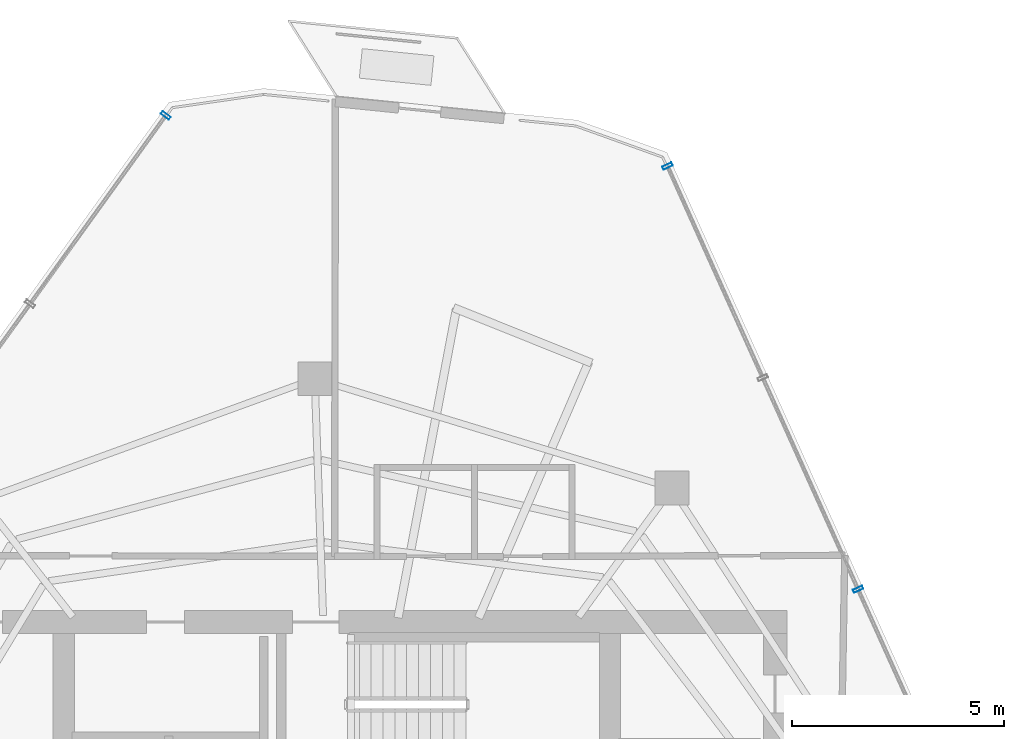
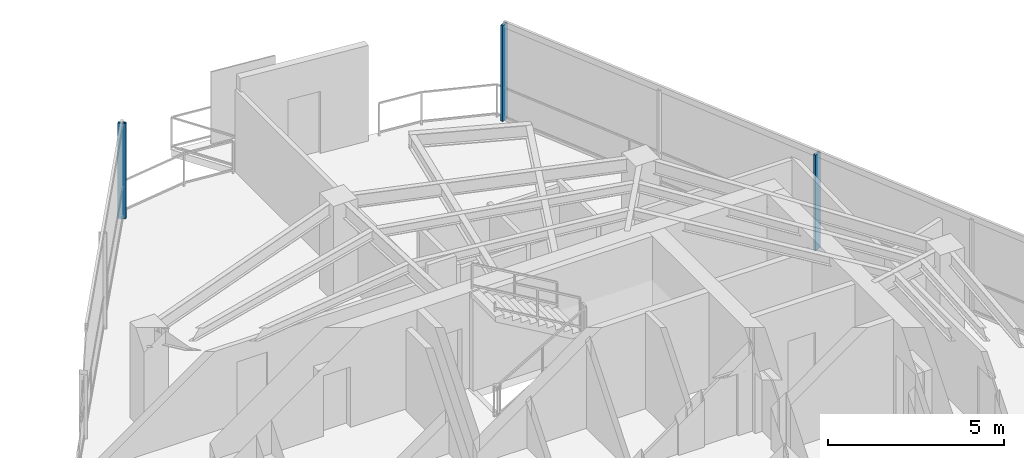
# One storey, part 13 of 18: 3 members, 2 elements without a shape of their own.
"""IFC4 building model written with IfcOpenShell, lengths in metres."""

import ifcopenshell
import ifcopenshell.guid

model = None  # the IFC model being written
_history = None  # IfcOwnerHistory: only IFC2X3 demands one
_inside = {}  # id of a spatial element -> (the spatial element, [elements in it])
_under = {}  # id of a project, library or spatial element -> (it, [spatial elements below it])
_declared = {}  # id of a project -> (the project, [libraries it declares])
_typed = {}  # id of a type object -> (the type object, [elements of that type])
_made_of = {}  # id of a material, layer set ... -> (it, [elements and type objects made of it])


def new_model(schema):
    """Start an empty IFC model of exactly this schema.

    Asked for "IFC4X3", IfcOpenShell would pick the latest addendum, in which some entities
    have other attributes; the version numbers below select the first issue.
    IFC2X3 requires an IfcOwnerHistory on every rooted entity: one is made here for all.
    """
    global model, _history
    if schema == "IFC4X3":
        model = ifcopenshell.file(schema_version=(4, 3, 0, 0))
    else:
        model = ifcopenshell.file(schema=schema)
    _inside.clear()
    _under.clear()
    _declared.clear()
    _typed.clear()
    _made_of.clear()
    _history = None
    if model.schema == "IFC2X3":
        org = make("IfcOrganization", Name="unknown")
        user = make(
            "IfcPersonAndOrganization",
            ThePerson=make("IfcPerson", FamilyName="unknown"),
            TheOrganization=org,
        )
        app = make(
            "IfcApplication",
            ApplicationDeveloper=org,
            Version="unknown",
            ApplicationFullName="unknown",
            ApplicationIdentifier="unknown",
        )
        _history = make(
            "IfcOwnerHistory",
            OwningUser=user,
            OwningApplication=app,
            ChangeAction="ADDED",
            CreationDate=0,
        )
    return model


def make(cls, **values):
    """One entity of the class cls with the attributes given. An attribute that is None is left unset."""
    return model.create_entity(
        cls, **{name: value for name, value in values.items() if value is not None}
    )


def rooted(cls, **values):
    """An entity with a GlobalId (a new one), such as an element, a storey or a relation."""
    return make(cls, GlobalId=ifcopenshell.guid.new(), OwnerHistory=_history, **values)


def si_unit(unit_type, name, prefix=None):
    """IfcSIUnit, for example si_unit("LENGTHUNIT", "METRE", prefix="MILLI")."""
    return make("IfcSIUnit", UnitType=unit_type, Prefix=prefix, Name=name)


def assignment(units):
    """IfcUnitAssignment: the units of a project."""
    return None if units is None else make("IfcUnitAssignment", Units=units)


def point(xyz):
    """IfcCartesianPoint."""
    return None if xyz is None else make("IfcCartesianPoint", Coordinates=xyz)


def direction(xyz):
    """IfcDirection."""
    return None if xyz is None else make("IfcDirection", DirectionRatios=xyz)


def frame(location, z_axis=None, x_axis=None):
    """IfcAxis2Placement3D, a coordinate frame: its origin and axes. An axis left out is left unset."""
    return make(
        "IfcAxis2Placement3D",
        Location=point(location),
        Axis=direction(z_axis),
        RefDirection=direction(x_axis),
    )


def frame_2d(location, x_axis=None):
    """IfcAxis2Placement2D, a coordinate frame in the plane: its origin and x axis."""
    return make(
        "IfcAxis2Placement2D", Location=point(location), RefDirection=direction(x_axis)
    )


def origin():
    """The frame at (0, 0, 0) with its axes left unset."""
    return frame((0.0, 0.0, 0.0))


def origin_2d():
    """The frame at (0, 0) in the plane with its x axis left unset."""
    return frame_2d((0.0, 0.0))


def place(relative_to, where):
    """IfcLocalPlacement: puts the frame where relative to a parent placement (None: the world)."""
    return make(
        "IfcLocalPlacement", PlacementRelTo=relative_to, RelativePlacement=where
    )


def context(
    kind, dimensions, precision=None, world=None, true_north=None, identifier=None
):
    """IfcGeometricRepresentationContext, for example the 3D "Model" context."""
    return make(
        "IfcGeometricRepresentationContext",
        ContextIdentifier=identifier,
        ContextType=kind,
        CoordinateSpaceDimension=dimensions,
        Precision=precision,
        WorldCoordinateSystem=world,
        TrueNorth=true_north,
    )


def subcontext(parent, identifier, kind, view, scale=None):
    """IfcGeometricRepresentationSubContext, for example "Body" below "Model"."""
    return make(
        "IfcGeometricRepresentationSubContext",
        ContextIdentifier=identifier,
        ContextType=kind,
        ParentContext=parent,
        TargetScale=scale,
        TargetView=view,
    )


def project(units=None, contexts=None):
    """IfcProject with its units and contexts."""
    return rooted(
        "IfcProject",
        Name="project",
        RepresentationContexts=contexts,
        UnitsInContext=assignment(units),
    )


def spatial(cls, under=None, at=None, **own):
    """A site, building, storey or space (cls), placed at a placement, below another one or the project."""
    s = rooted(cls, ObjectPlacement=at, **own)
    if under is not None:
        _under.setdefault(under.id(), (under, []))[1].append(s)
    return s


def profile(cls, at=None, kind="AREA", **sizes):
    """A parametric profile (cls). Its sizes go by their IFC names, for example OverallWidth=200.0."""
    return make(cls, ProfileType=kind, Position=at, **sizes)


def hollow_rectangle(**sizes):
    """IfcRectangleHollowProfileDef."""
    return profile("IfcRectangleHollowProfileDef", **sizes)


def extrude(swept, where, along, depth):
    """IfcExtrudedAreaSolid: the profile swept, set in the frame where, extruded along a direction by depth."""
    return make(
        "IfcExtrudedAreaSolid",
        SweptArea=swept,
        Position=where,
        ExtrudedDirection=direction(along),
        Depth=depth,
    )


def shape(context_of_items, identifier, shape_type, items):
    """IfcShapeRepresentation: the items that make up one representation, for example the "Body"."""
    return make(
        "IfcShapeRepresentation",
        ContextOfItems=context_of_items,
        RepresentationIdentifier=identifier,
        RepresentationType=shape_type,
        Items=items,
    )


def material(Name=None, Category=None):
    """IfcMaterial."""
    return make("IfcMaterial", Name=Name, Category=Category)


def layer(
    of_material, thickness, ventilated=None, Name=None, Category=None, Priority=None
):
    """IfcMaterialLayer: one layer of a wall or slab, of a material (None: an air gap)."""
    return make(
        "IfcMaterialLayer",
        Material=of_material,
        LayerThickness=thickness,
        IsVentilated=ventilated,
        Name=Name,
        Category=Category,
        Priority=Priority,
    )


def layer_set(layers, Name=None):
    """IfcMaterialLayerSet."""
    return make("IfcMaterialLayerSet", MaterialLayers=layers, LayerSetName=Name)


def material_profile(
    of_material, cross_section, Name=None, Category=None, Priority=None
):
    """IfcMaterialProfile: a cross section and its material."""
    return make(
        "IfcMaterialProfile",
        Name=Name,
        Material=of_material,
        Profile=cross_section,
        Priority=Priority,
        Category=Category,
    )


def profile_set(profiles, Name=None, composite=None):
    """IfcMaterialProfileSet."""
    return make(
        "IfcMaterialProfileSet",
        Name=Name,
        MaterialProfiles=profiles,
        CompositeProfile=composite,
    )


def made_of(thing, what):
    """Note that an element or type object is made of a material, layer set ...; save() writes the relation."""
    if what is not None:
        _made_of.setdefault(what.id(), (what, []))[1].append(thing)
    return thing


def type_object(cls, material=None, **own):
    """A type object (cls), such as IfcWallType, which elements share."""
    return made_of(rooted(cls, **own), material)


def element(
    cls,
    number,
    at=None,
    inside=None,
    cuts=None,
    type_object=None,
    material=None,
    context=None,
    identifier="Body",
    shape_type=None,
    held_by="IfcProductDefinitionShape",
    body=None,
    shapes=None,
    **own,
):
    """One element of the class cls, such as IfcWall. Its Tag is "e" and its number.

    at: its placement. inside: the storey or other place that contains it. cuts: it is an
    opening in that element (IfcRelVoidsElement). A single representation is given by context,
    identifier, shape_type and body (its items); several are given by shapes. held_by: the class
    of the entity that holds the representations. save() writes the other relations.
    """
    e = rooted(cls, Tag="e%d" % number, ObjectPlacement=at, **own)
    if body is not None:
        shapes = [shape(context, identifier, shape_type, body)]
    if shapes is not None:
        e.Representation = make(held_by, Representations=shapes)
    if inside is not None:
        _inside.setdefault(inside.id(), (inside, []))[1].append(e)
    if cuts is not None:
        rooted(
            "IfcRelVoidsElement", RelatingBuildingElement=cuts, RelatedOpeningElement=e
        )
    if type_object is not None:
        _typed.setdefault(type_object.id(), (type_object, []))[1].append(e)
    return made_of(e, material)


def aggregate(whole, parts):
    """IfcRelAggregates: a whole, such as a stair, and the parts it consists of."""
    return rooted("IfcRelAggregates", RelatingObject=whole, RelatedObjects=parts)


def save(model, path):
    """Write the relations noted so far, then the file.

    IfcRelAggregates (storeys below a building ...), IfcRelContainedInSpatialStructure (elements
    in a storey), IfcRelDefinesByType, IfcRelAssociatesMaterial and IfcRelDeclares: one each for
    every whole, place, type object, material and project.
    """
    for whole, parts in _under.values():
        aggregate(whole, parts)
    for where, things in _inside.values():
        rooted(
            "IfcRelContainedInSpatialStructure",
            RelatedElements=things,
            RelatingStructure=where,
        )
    for kind, things in _typed.values():
        rooted("IfcRelDefinesByType", RelatedObjects=things, RelatingType=kind)
    for what, things in _made_of.values():
        rooted("IfcRelAssociatesMaterial", RelatedObjects=things, RelatingMaterial=what)
    for by, libraries in _declared.values():
        rooted("IfcRelDeclares", RelatingContext=by, RelatedDefinitions=libraries)
    model.write(path)


model = new_model("IFC4")

# Units and contexts
model_context = context("Model", 3, precision=1e-05, world=origin(), true_north=direction((0.0, 1.0)))
body_context = subcontext(model_context, "Body", "Model", "MODEL_VIEW")
ifc_project = project(units=[si_unit("LENGTHUNIT", "METRE"), si_unit("AREAUNIT", "SQUARE_METRE"), si_unit("VOLUMEUNIT", "CUBIC_METRE"), si_unit("PLANEANGLEUNIT", "RADIAN"), si_unit("MASSUNIT", "GRAM", prefix="KILO")], contexts=[model_context])

# Site, building, storey
site_placement = place(None, origin())
site = spatial("IfcSite", under=ifc_project, at=site_placement, CompositionType="ELEMENT")
building_placement = place(site_placement, origin())
building = spatial("IfcBuilding", under=site, at=building_placement, Name="Qarnah Convention Tower", CompositionType="ELEMENT")
storey_placement = place(building_placement, frame((0.0, 0.0, 271.5)))
storey = spatial("IfcBuildingStorey", under=building, at=storey_placement, Name="L73", CompositionType="ELEMENT", Elevation=271.5)

# Curtain wall, member
ifc_material_1 = material(Name="Tempered Low-E dark glass", Category="glass")
ifc_layer = layer(ifc_material_1, 0.176025390625)
ifc_layer_set = layer_set([ifc_layer], Name="Tempered Low-E dark glass")
curtain_wall_type = type_object("IfcCurtainWallType", Name="CWS-05", PredefinedType="NOTDEFINED", material=ifc_layer_set)
curtain_wall_1_placement = place(storey_placement, origin())
curtain_wall_1 = element("IfcCurtainWall", 1, at=curtain_wall_1_placement, inside=storey, type_object=curtain_wall_type, Name="L73 unitised curtain wall CW-L73-F1", PredefinedType="NOTDEFINED")
ifc_material_2 = material(Name="Black anodised aluminium", Category="aluminium")
ifc_material_profile = material_profile(ifc_material_2, hollow_rectangle(XDim=0.080078125, YDim=0.239990234375, WallThickness=0.0048828125, at=origin_2d()), Name="MUL-80X240")
ifc_profile_set = profile_set([ifc_material_profile], Name="Black anodised aluminium")
member_type = type_object("IfcMemberType", Name="MUL-T5", PredefinedType="MULLION", material=ifc_profile_set)
member_1_placement = place(storey_placement, frame((33.20703125, 46.160888671875, 0.0), z_axis=(0.0, 0.0, 1.0), x_axis=(0.584392195379, 0.811471356229, 0.0)))
member_1 = element("IfcMember", 2, at=member_1_placement, type_object=member_type, Name="CW-L73-F1 mullion 6", PredefinedType="MULLION", context=body_context, shape_type="SweptSolid", body=[
    extrude(hollow_rectangle(XDim=0.080078125, YDim=0.239990234375, WallThickness=0.0048828125, at=origin_2d()), origin(), (0.0, 0.0, 1.0), 3.320068359375),
])
aggregate(curtain_wall_1, [member_1])

# Curtain wall, members
curtain_wall_2_placement = place(storey_placement, origin())
curtain_wall_2 = element("IfcCurtainWall", 3, at=curtain_wall_2_placement, inside=storey, type_object=curtain_wall_type, Name="L73 unitised curtain wall CW-L73-F2", PredefinedType="NOTDEFINED")
member_2_placement = place(storey_placement, frame((45.06005859375, 44.966064453125, 0.0), z_axis=(0.0, 0.0, 1.0), x_axis=(0.410514882218, -0.911853898099, 0.0)))
member_2 = element("IfcMember", 4, at=member_2_placement, type_object=member_type, Name="CW-L73-F2 mullion 1", PredefinedType="MULLION", context=body_context, shape_type="SweptSolid", body=[
    extrude(hollow_rectangle(XDim=0.080078125, YDim=0.239990234375, WallThickness=0.0048828125, at=origin_2d()), origin(), (0.0, 0.0, 1.0), 3.320068359375),
])
member_3_placement = place(storey_placement, frame((49.56005859375, 34.970458984375, 0.0), z_axis=(0.0, 0.0, 1.0), x_axis=(0.410514882218, -0.911853898099, 0.0)))
member_3 = element("IfcMember", 5, at=member_3_placement, type_object=member_type, Name="CW-L73-F2 mullion 3", PredefinedType="MULLION", context=body_context, shape_type="SweptSolid", body=[
    extrude(hollow_rectangle(XDim=0.080078125, YDim=0.239990234375, WallThickness=0.0048828125, at=origin_2d()), origin(), (0.0, 0.0, 1.0), 3.320068359375),
])
aggregate(curtain_wall_2, [member_2, member_3])

save(model, "model.ifc")
